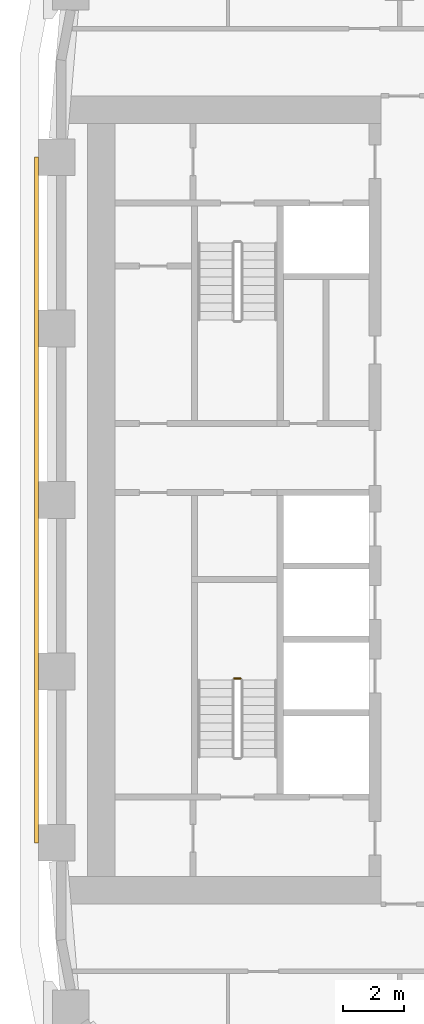
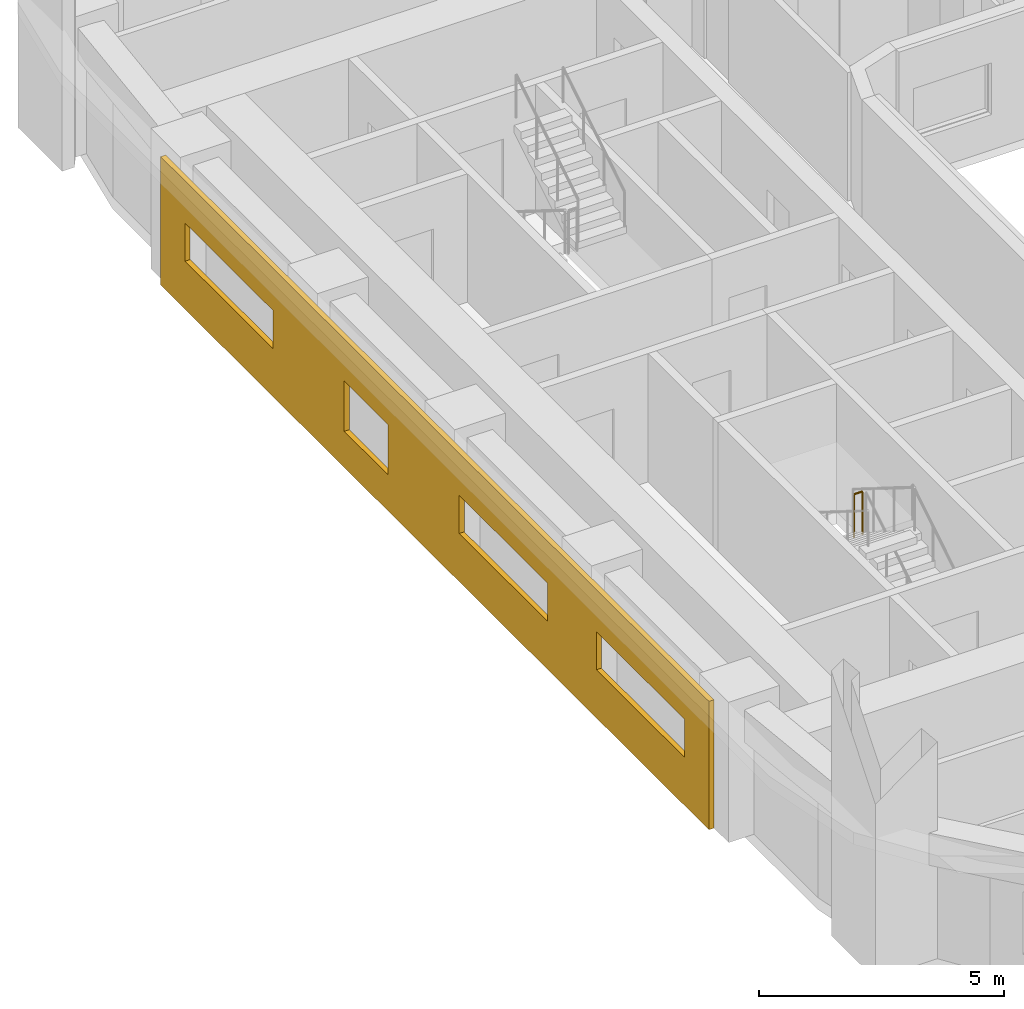
# One storey, part 14 of 23: 1 covering, 1 railing.
"""IFC4 building model written with IfcOpenShell, lengths in metres."""

from ifc_helpers import new_model, si_unit, direction, frame, origin, origin_2d, place, context, subcontext, project, spatial, polyline, circle, outline, extrude, material, layer, layer_set, type_object, element, save


model = new_model("IFC4")

# Units and contexts
model_context = context("Model", 3, precision=1e-05, world=origin(), true_north=direction((0.0, 1.0)))
body_context = subcontext(model_context, "Body", "Model", "MODEL_VIEW")
ifc_project = project(units=[si_unit("LENGTHUNIT", "METRE"), si_unit("AREAUNIT", "SQUARE_METRE"), si_unit("VOLUMEUNIT", "CUBIC_METRE"), si_unit("PLANEANGLEUNIT", "RADIAN"), si_unit("MASSUNIT", "GRAM", prefix="KILO")], contexts=[model_context])

# Site, building, storey
site_placement = place(None, origin())
site = spatial("IfcSite", under=ifc_project, at=site_placement, CompositionType="ELEMENT")
building_placement = place(site_placement, origin())
building = spatial("IfcBuilding", under=site, at=building_placement, Name="Kiln Ring Residences", CompositionType="ELEMENT")
storey_placement = place(building_placement, frame((0.0, 0.0, 107.800048828125)))
storey = spatial("IfcBuildingStorey", under=building, at=storey_placement, Name="L27", CompositionType="ELEMENT", Elevation=107.800048828125)

# Railing
ifc_material_1 = material(Name="Stainless steel", Category="steel")
railing_type = type_object("IfcRailingType", Name="CORE-STAIR-GUARD", PredefinedType="GUARDRAIL", material=ifc_material_1)
railing_placement = place(storey_placement, frame((-22.0, -5.830078125, 1.75)))
element("IfcRailing", 1, at=railing_placement, inside=storey, type_object=railing_type, Name="L27 W-STS stair guard 2", PredefinedType="GUARDRAIL", context=body_context, shape_type="SweptSolid", body=[
    extrude(circle(Radius=0.02392578125, at=origin_2d()), frame((0.0, 0.0, 1.076171875), z_axis=(-1.0, 0.0, 0.0), x_axis=(0.0, -1.0, 0.0)), (0.0, 0.0, 1.0), 0.199951171875),
    extrude(circle(Radius=0.02099609375, at=origin_2d()), origin(), (0.0, 0.0, 1.0), 1.052001953125),
    extrude(circle(Radius=0.02099609375, at=origin_2d()), frame((-0.199951171875, 0.0, 0.0)), (0.0, 0.0, 1.0), 1.052001953125),
])

# Covering
ifc_material_2 = material(Name="Brick masonry, dark clay brick", Category="masonry")
ifc_layer = layer(ifc_material_2, 0.1201171875)
ifc_layer_set = layer_set([ifc_layer], Name="RAINSCREEN PANEL 120")
covering_type = type_object("IfcCoveringType", Name="RAINSCREEN PANEL 120", PredefinedType="CLADDING", material=ifc_layer_set)
covering_placement = place(storey_placement, frame((-28.659912109375, 11.199951171875, 0.0), z_axis=(0.0, 0.0, 1.0), x_axis=(0.0, -1.0, 0.0)))
element("IfcCovering", 2, at=covering_placement, inside=storey, type_object=covering_type, Name="RAINSCREEN L27", PredefinedType="CLADDING", context=body_context, shape_type="SweptSolid", body=[
    extrude(outline(polyline([(0.0, 0.0), (22.39990234375, 0.0), (22.39990234375, 3.199951171875), (0.0, 3.199951171875), (0.0, 0.0)]), holes=[polyline([(9.300048828125, 0.89990234375), (9.300048828125, 2.14990234375), (7.5, 2.14990234375), (7.5, 0.89990234375), (9.300048828125, 0.89990234375)]), polyline([(4.60009765625, 1.199951171875), (4.60009765625, 2.14990234375), (1.0, 2.14990234375), (1.0, 1.199951171875), (4.60009765625, 1.199951171875)]), polyline([(15.800048828125, 1.199951171875), (15.800048828125, 2.14990234375), (12.199951171875, 2.14990234375), (12.199951171875, 1.199951171875), (15.800048828125, 1.199951171875)]), polyline([(21.39990234375, 1.199951171875), (21.39990234375, 2.14990234375), (17.800048828125, 2.14990234375), (17.800048828125, 1.199951171875), (21.39990234375, 1.199951171875)])]), frame((0.0, 0.06005859375, 0.0), z_axis=(0.0, -1.0, 0.0), x_axis=(1.0, 0.0, 0.0)), (0.0, 0.0, 1.0), 0.1201171875),
])

save(model, "model.ifc")
